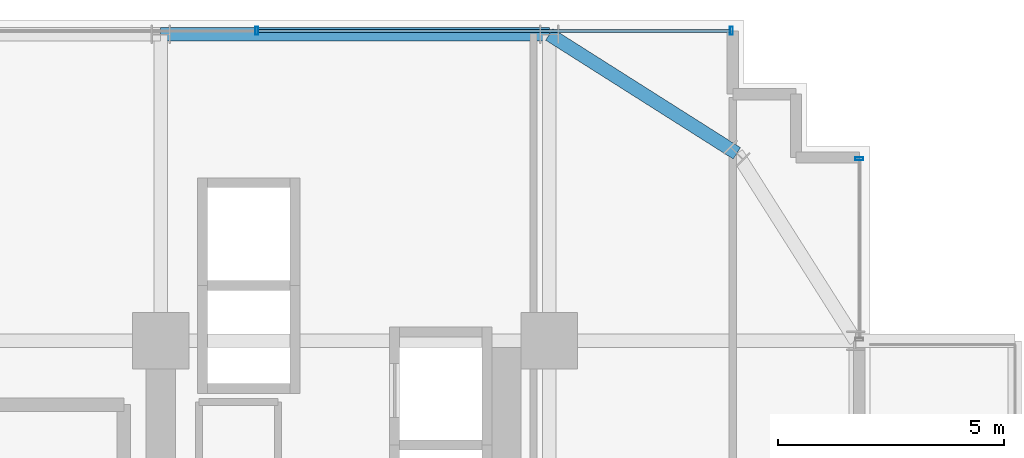
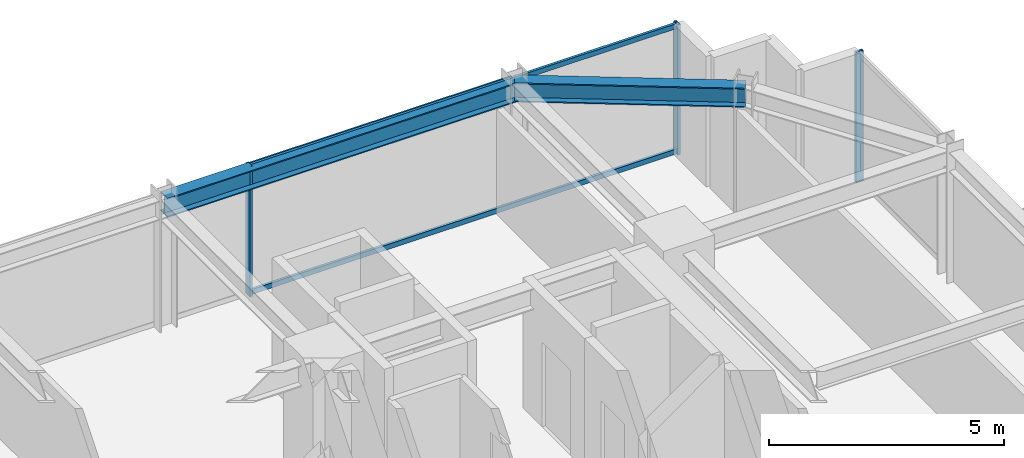
# One storey, part 24 of 32: 5 members, 2 beams, 2 elements without a shape of their own.
"""IFC4 building model written with IfcOpenShell, lengths in metres."""

from ifc_helpers import new_model, si_unit, direction, frame, origin, origin_2d, place, context, subcontext, project, spatial, hollow_rectangle, i_section, extrude, source, transform, mapped, material, material_profile, profile_set, type_object, element, aggregate, save


model = new_model("IFC4")

# Units and contexts
model_context = context("Model", 3, precision=1e-05, world=origin(), true_north=direction((0.0, 1.0)))
body_context = subcontext(model_context, "Body", "Model", "MODEL_VIEW")
ifc_project = project(units=[si_unit("LENGTHUNIT", "METRE"), si_unit("AREAUNIT", "SQUARE_METRE"), si_unit("VOLUMEUNIT", "CUBIC_METRE"), si_unit("PLANEANGLEUNIT", "RADIAN"), si_unit("MASSUNIT", "GRAM", prefix="KILO")], contexts=[model_context])

# Site, building, storey
site_placement = place(None, origin())
site = spatial("IfcSite", under=ifc_project, at=site_placement, CompositionType="ELEMENT")
building_placement = place(site_placement, origin())
building = spatial("IfcBuilding", under=site, at=building_placement, Name="Nahalor Promenade Grand Hotel", CompositionType="ELEMENT")
storey_placement = place(building_placement, frame((0.0, 0.0, 102.89990234375)))
storey = spatial("IfcBuildingStorey", under=building, at=storey_placement, Name="L25", CompositionType="ELEMENT", Elevation=102.89990234375)

# Beams
ifc_material_1 = material(Name="Steel S355JR", Category="steel")
ifc_material_profile_1 = material_profile(ifc_material_1, i_section(OverallWidth=0.3, OverallDepth=0.5, WebThickness=0.0145, FlangeThickness=0.028, at=origin_2d()), Name="HEB 500")
ifc_profile_set_1 = profile_set([ifc_material_profile_1], Name="Steel S355JR")
beam_type = type_object("IfcBeamType", Name="Beam-Spandrel-HEB500", PredefinedType="SPANDREL", material=ifc_profile_set_1)
shared_shape_1 = source(origin(), body_context, "Body", "SweptSolid", [
    extrude(i_section(OverallWidth=0.3, OverallDepth=0.5, WebThickness=0.0145, FlangeThickness=0.028, at=origin_2d()), origin(), (0.0, 0.0, 1.0), 8.60009765625),
])
beam_1_placement = place(storey_placement, frame((8.39990234375, 23.780029296875, 3.130126953125), z_axis=(1.0, 0.0, 0.0), x_axis=(0.0, 1.0, 0.0)))
element("IfcBeam", 1, at=beam_1_placement, inside=storey, type_object=beam_type, Name="BM-L25-SP-N-4", PredefinedType="SPANDREL", context=body_context, shape_type="MappedRepresentation", body=[
    mapped(shared_shape_1, transform((0.0, 0.0, 0.0), scale=1.0)),
])
shared_shape_2 = source(origin(), body_context, "Body", "SweptSolid", [
    extrude(i_section(OverallWidth=0.3, OverallDepth=0.5, WebThickness=0.0145, FlangeThickness=0.028, at=origin_2d()), origin(), (0.0, 0.0, 1.0), 4.9130859375),
])
beam_2_placement = place(storey_placement, frame((17.0, 23.780029296875, 3.130126953125), z_axis=(0.844648325505, -0.535321591403, 0.0), x_axis=(0.535321591403, 0.844648325505, 0.0)))
element("IfcBeam", 2, at=beam_2_placement, inside=storey, type_object=beam_type, Name="BM-L25-SPC-NE-1", PredefinedType="SPANDREL", context=body_context, shape_type="MappedRepresentation", body=[
    mapped(shared_shape_2, transform((0.0, 0.0, 0.0), scale=1.0)),
])

# Curtain wall, members
ifc_material_2 = material(Name="Anodised Bronze Aluminium EN AW-6063 T6", Category="aluminium")
curtain_wall_type = type_object("IfcCurtainWallType", Name="CW2 Typical Hotel Flush Bronze Unitised Curtain Wall", PredefinedType="USERDEFINED", material=ifc_material_2)
curtain_wall_1_placement = place(storey_placement, origin())
curtain_wall_1 = element("IfcCurtainWall", 3, at=curtain_wall_1_placement, inside=storey, type_object=curtain_wall_type, Name="L25 Curtain Wall CW-L25-N-1", ObjectType="UNITISED_CURTAIN_WALL", PredefinedType="USERDEFINED")
ifc_material_profile_2 = material_profile(ifc_material_2, hollow_rectangle(XDim=0.065, YDim=0.13, WallThickness=0.004, at=origin_2d()), Name="CWT 65x130x4")
ifc_profile_set_2 = profile_set([ifc_material_profile_2], Name="Anodised Bronze Aluminium EN AW-6063 T6")
member_type_1 = type_object("IfcMemberType", Name="CWT2 Typical Bronze Transom 65x130", PredefinedType="USERDEFINED", material=ifc_profile_set_2)
shared_shape_3 = source(origin(), body_context, "Body", "SweptSolid", [
    extrude(hollow_rectangle(XDim=0.065, YDim=0.13, WallThickness=0.004, at=origin_2d()), origin(), (0.0, 0.0, 1.0), 10.4326171875),
])
member_1_placement = place(storey_placement, frame((10.5625, 23.860107421875, 0.065185546875), z_axis=(1.0, 0.0, 0.0), x_axis=(0.0, 1.0, 0.0)))
member_1 = element("IfcMember", 4, at=member_1_placement, type_object=member_type_1, Name="CW-L25-N-1 Transom 3-0", ObjectType="TRANSOM", PredefinedType="USERDEFINED", context=body_context, shape_type="MappedRepresentation", body=[
    mapped(shared_shape_3, transform((0.0, 0.0, 0.0), scale=1.0)),
])
member_2_placement = place(storey_placement, frame((10.5625, 23.860107421875, 3.315185546875), z_axis=(1.0, 0.0, 0.0), x_axis=(0.0, 1.0, 0.0)))
member_2 = element("IfcMember", 5, at=member_2_placement, type_object=member_type_1, Name="CW-L25-N-1 Transom 3-1", ObjectType="TRANSOM", PredefinedType="USERDEFINED", context=body_context, shape_type="MappedRepresentation", body=[
    mapped(shared_shape_3, transform((0.0, 0.0, 0.0), scale=1.0)),
])
ifc_material_profile_3 = material_profile(ifc_material_2, hollow_rectangle(XDim=0.065, YDim=0.18, WallThickness=0.004, at=origin_2d()), Name="CWM 65x180x4")
ifc_profile_set_3 = profile_set([ifc_material_profile_3], Name="Anodised Bronze Aluminium EN AW-6063 T6")
member_type_2 = type_object("IfcMemberType", Name="CWM2 Typical Bronze Mullion 65x180", PredefinedType="MULLION", material=ifc_profile_set_3)
shared_shape_4 = source(origin(), body_context, "Body", "SweptSolid", [
    extrude(hollow_rectangle(XDim=0.065, YDim=0.18, WallThickness=0.004, at=origin_2d()), origin(), (0.0, 0.0, 1.0), 3.380126953125),
])
member_3_placement = place(storey_placement, frame((10.530029296875, 23.860107421875, 0.0), z_axis=(0.0, 0.0, 1.0), x_axis=(1.0, 0.0, 0.0)))
member_3 = element("IfcMember", 6, at=member_3_placement, type_object=member_type_2, Name="CW-L25-N-1 Mullion 3", PredefinedType="MULLION", context=body_context, shape_type="MappedRepresentation", body=[
    mapped(shared_shape_4, transform((0.0, 0.0, 0.0), scale=1.0)),
])
member_4_placement = place(storey_placement, frame((21.027587890625, 23.860107421875, 0.0), z_axis=(0.0, 0.0, 1.0), x_axis=(1.0, 0.0, 0.0)))
member_4 = element("IfcMember", 7, at=member_4_placement, type_object=member_type_2, Name="CW-L25-N-1 Mullion 4", PredefinedType="MULLION", context=body_context, shape_type="MappedRepresentation", body=[
    mapped(shared_shape_4, transform((0.0, 0.0, 0.0), scale=1.0)),
])
aggregate(curtain_wall_1, [member_3, member_4, member_1, member_2])

# Curtain wall, member
curtain_wall_2_placement = place(storey_placement, origin())
curtain_wall_2 = element("IfcCurtainWall", 8, at=curtain_wall_2_placement, inside=storey, type_object=curtain_wall_type, Name="L25 Curtain Wall CW-L25-E-3", ObjectType="UNITISED_CURTAIN_WALL", PredefinedType="USERDEFINED")
member_5_placement = place(storey_placement, frame((23.860107421875, 21.027587890625, 0.0), z_axis=(0.0, 0.0, 1.0), x_axis=(0.0, 1.0, 0.0)))
member_5 = element("IfcMember", 9, at=member_5_placement, type_object=member_type_2, Name="CW-L25-E-3 Mullion 1", PredefinedType="MULLION", context=body_context, shape_type="MappedRepresentation", body=[
    mapped(shared_shape_4, transform((0.0, 0.0, 0.0), scale=1.0)),
])
aggregate(curtain_wall_2, [member_5])

save(model, "model.ifc")
